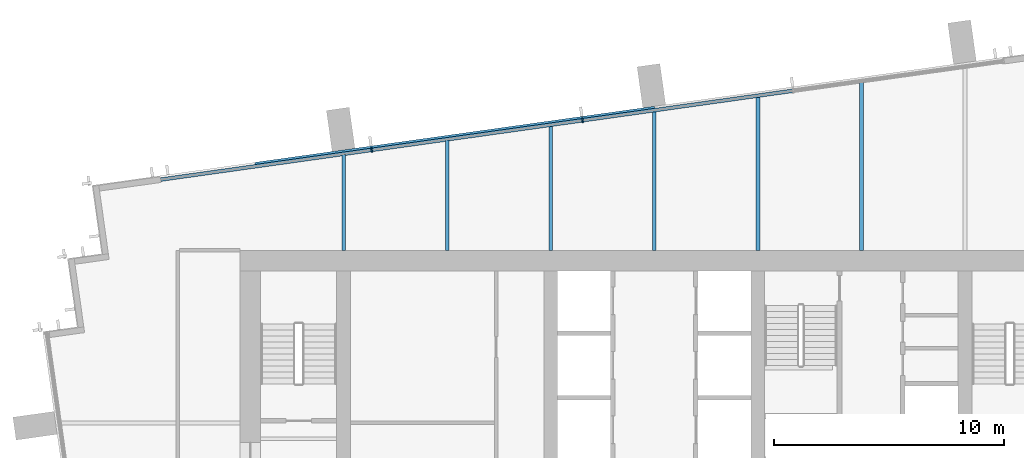
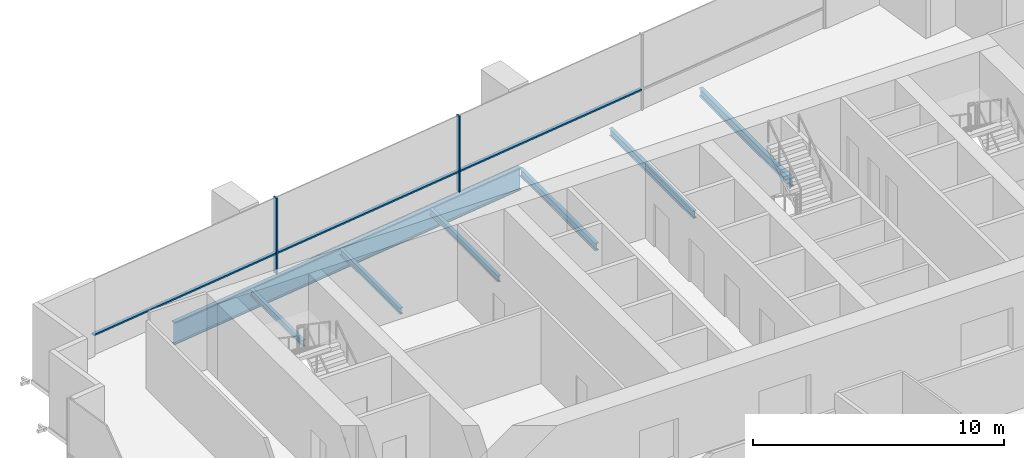
# One storey, part 5 of 12: 7 beams, 5 members, 1 element without a shape of its own.
"""IFC4 building model written with IfcOpenShell, lengths in metres."""

from ifc_helpers import new_model, si_unit, direction, frame, origin, origin_2d, place, context, subcontext, project, spatial, rectangle, i_section, extrude, material, layer, layer_set, material_profile, profile_set, type_object, element, aggregate, save


model = new_model("IFC4")

# Units and contexts
model_context = context("Model", 3, precision=1e-05, world=origin(), true_north=direction((0.0, 1.0)))
body_context = subcontext(model_context, "Body", "Model", "MODEL_VIEW")
ifc_project = project(units=[si_unit("LENGTHUNIT", "METRE"), si_unit("AREAUNIT", "SQUARE_METRE"), si_unit("VOLUMEUNIT", "CUBIC_METRE"), si_unit("PLANEANGLEUNIT", "RADIAN"), si_unit("MASSUNIT", "GRAM", prefix="KILO")], contexts=[model_context])

# Site, building, storey
site_placement = place(None, origin())
site = spatial("IfcSite", under=ifc_project, at=site_placement, CompositionType="ELEMENT")
building_placement = place(site_placement, origin())
building = spatial("IfcBuilding", under=site, at=building_placement, Name="Rattan Terrace Tower", CompositionType="ELEMENT")
storey_placement = place(building_placement, frame((0.0, 0.0, 270.699951171875)))
storey = spatial("IfcBuildingStorey", under=building, at=storey_placement, Name="L62", CompositionType="ELEMENT", Elevation=270.699951171875)

# Beams
ifc_material_1 = material(Name="Steel S460", Category="steel")
ifc_material_profile_1 = material_profile(ifc_material_1, i_section(OverallWidth=0.179931640625, OverallDepth=1.10009765625, WebThickness=0.01611328125, FlangeThickness=0.050048828125, at=origin_2d()), Name="PG 1100x180-16-50")
ifc_profile_set_1 = profile_set([ifc_material_profile_1], Name="Steel S460")
beam_type_1 = type_object("IfcBeamType", Name="Frame edge girder PG 1100x180-16-50", PredefinedType="SPANDREL", material=ifc_profile_set_1)
beam_1_placement = place(storey_placement, frame((-17.347900390625, 11.22900390625, -0.75), z_axis=(0.990275473288, 0.139120404699, 0.0), x_axis=(-0.139120404699, 0.990275473288, 0.0)))
element("IfcBeam", 1, at=beam_1_placement, inside=storey, type_object=beam_type_1, Name="gdr-L62-005", PredefinedType="SPANDREL", context=body_context, shape_type="SweptSolid", body=[
    extrude(i_section(OverallWidth=0.179931640625, OverallDepth=1.10009765625, WebThickness=0.01611328125, FlangeThickness=0.050048828125, at=origin_2d()), origin(), (0.0, 0.0, 1.0), 17.53125),
])
ifc_material_2 = material(Name="Steel S355", Category="steel")
ifc_material_profile_2 = material_profile(ifc_material_2, i_section(OverallWidth=0.14990234375, OverallDepth=0.300048828125, WebThickness=0.007080078125, FlangeThickness=0.0107421875, FilletRadius=0.014892578125, at=origin_2d()), Name="IPE 300")
ifc_profile_set_2 = profile_set([ifc_material_profile_2], Name="Steel S355")
beam_type_2 = type_object("IfcBeamType", Name="Frame floor beam IPE 300", PredefinedType="JOIST", material=ifc_profile_set_2)
beam_2_placement = place(storey_placement, frame((-13.5, 7.5, -0.349853515625), z_axis=(0.0, 1.0, 0.0), x_axis=(-1.0, 0.0, 0.0)))
element("IfcBeam", 2, at=beam_2_placement, inside=storey, type_object=beam_type_2, Name="bm-L62-015", PredefinedType="JOIST", context=body_context, shape_type="SweptSolid", body=[
    extrude(i_section(OverallWidth=0.14990234375, OverallDepth=0.300048828125, WebThickness=0.007080078125, FlangeThickness=0.0107421875, FilletRadius=0.014892578125, at=origin_2d()), origin(), (0.0, 0.0, 1.0), 4.16796875),
])
beam_3_placement = place(storey_placement, frame((-9.0, 7.5, -0.349853515625), z_axis=(0.0, 1.0, 0.0), x_axis=(-1.0, 0.0, 0.0)))
element("IfcBeam", 3, at=beam_3_placement, inside=storey, type_object=beam_type_2, Name="bm-L62-016", PredefinedType="JOIST", context=body_context, shape_type="SweptSolid", body=[
    extrude(i_section(OverallWidth=0.14990234375, OverallDepth=0.300048828125, WebThickness=0.007080078125, FlangeThickness=0.0107421875, FilletRadius=0.014892578125, at=origin_2d()), origin(), (0.0, 0.0, 1.0), 4.800048828125),
])
beam_4_placement = place(storey_placement, frame((-4.5, 7.5, -0.349853515625), z_axis=(0.0, 1.0, 0.0), x_axis=(-1.0, 0.0, 0.0)))
element("IfcBeam", 4, at=beam_4_placement, inside=storey, type_object=beam_type_2, Name="bm-L62-017", PredefinedType="JOIST", context=body_context, shape_type="SweptSolid", body=[
    extrude(i_section(OverallWidth=0.14990234375, OverallDepth=0.300048828125, WebThickness=0.007080078125, FlangeThickness=0.0107421875, FilletRadius=0.014892578125, at=origin_2d()), origin(), (0.0, 0.0, 1.0), 5.43310546875),
])
ifc_material_3 = material(Name="Steel S355", Category="steel")
ifc_material_profile_3 = material_profile(ifc_material_3, i_section(OverallWidth=0.169921875, OverallDepth=0.360107421875, WebThickness=0.008056640625, FlangeThickness=0.0126953125, FilletRadius=0.01806640625, at=origin_2d()), Name="IPE 360")
ifc_profile_set_3 = profile_set([ifc_material_profile_3], Name="Steel S355")
beam_type_3 = type_object("IfcBeamType", Name="Frame floor beam IPE 360", PredefinedType="JOIST", material=ifc_profile_set_3)
beam_5_placement = place(storey_placement, frame((0.0, 7.5, -0.3798828125), z_axis=(0.0, 1.0, 0.0), x_axis=(-1.0, 0.0, 0.0)))
element("IfcBeam", 5, at=beam_5_placement, inside=storey, type_object=beam_type_3, Name="bm-L62-018", PredefinedType="JOIST", context=body_context, shape_type="SweptSolid", body=[
    extrude(i_section(OverallWidth=0.169921875, OverallDepth=0.360107421875, WebThickness=0.008056640625, FlangeThickness=0.0126953125, FilletRadius=0.01806640625, at=origin_2d()), origin(), (0.0, 0.0, 1.0), 6.06298828125),
])
beam_6_placement = place(storey_placement, frame((4.5, 7.5, -0.3798828125), z_axis=(0.0, 1.0, 0.0), x_axis=(-1.0, 0.0, 0.0)))
element("IfcBeam", 6, at=beam_6_placement, inside=storey, type_object=beam_type_3, Name="bm-L62-019", PredefinedType="JOIST", context=body_context, shape_type="SweptSolid", body=[
    extrude(i_section(OverallWidth=0.169921875, OverallDepth=0.360107421875, WebThickness=0.008056640625, FlangeThickness=0.0126953125, FilletRadius=0.01806640625, at=origin_2d()), origin(), (0.0, 0.0, 1.0), 6.696044921875),
])
ifc_material_4 = material(Name="Steel S355", Category="steel")
ifc_material_profile_4 = material_profile(ifc_material_4, i_section(OverallWidth=0.179931640625, OverallDepth=0.39990234375, WebThickness=0.008544921875, FlangeThickness=0.013427734375, FilletRadius=0.02099609375, at=origin_2d()), Name="IPE 400")
ifc_profile_set_4 = profile_set([ifc_material_profile_4], Name="Steel S355")
beam_type_4 = type_object("IfcBeamType", Name="Frame floor beam IPE 400", PredefinedType="JOIST", material=ifc_profile_set_4)
beam_7_placement = place(storey_placement, frame((9.0, 7.5, -0.39990234375), z_axis=(0.0, 1.0, 0.0), x_axis=(-1.0, 0.0, 0.0)))
element("IfcBeam", 7, at=beam_7_placement, inside=storey, type_object=beam_type_4, Name="bm-L62-020", PredefinedType="JOIST", context=body_context, shape_type="SweptSolid", body=[
    extrude(i_section(OverallWidth=0.179931640625, OverallDepth=0.39990234375, WebThickness=0.008544921875, FlangeThickness=0.013427734375, FilletRadius=0.02099609375, at=origin_2d()), origin(), (0.0, 0.0, 1.0), 7.327880859375),
])

# Curtain wall, members
ifc_material_5 = material(Name="Aluminium and laminated glass", Category="aluminium")
ifc_layer = layer(ifc_material_5, 0.199951171875)
ifc_layer_set = layer_set([ifc_layer], Name="High-Zone Unitised Curtain Wall")
curtain_wall_type = type_object("IfcCurtainWallType", Name="High-Zone Unitised Curtain Wall", PredefinedType="NOTDEFINED", material=ifc_layer_set)
curtain_wall_placement = place(storey_placement, origin())
curtain_wall = element("IfcCurtainWall", 8, at=curtain_wall_placement, inside=storey, type_object=curtain_wall_type, Name="High-zone curtain wall L62-2", PredefinedType="NOTDEFINED")
ifc_material_6 = material(Name="Aluminium", Category="aluminium")
ifc_material_profile_5 = material_profile(ifc_material_6, rectangle(XDim=0.070068359375, YDim=0.199951171875, at=origin_2d()), Name="Aluminium 70x200")
ifc_profile_set_5 = profile_set([ifc_material_profile_5], Name="Aluminium")
member_type_1 = type_object("IfcMemberType", Name="High-Zone CW Mullion 70x200", PredefinedType="MULLION", material=ifc_profile_set_5)
member_1_placement = place(storey_placement, frame((-3.1181640625, 13.14697265625, 0.0), z_axis=(0.0, 0.0, 1.0), x_axis=(-0.990265894013, -0.139188574079, 0.0)))
member_1 = element("IfcMember", 9, at=member_1_placement, type_object=member_type_1, Name="Mullion cwl-L62-002.3", PredefinedType="MULLION", context=body_context, shape_type="SweptSolid", body=[
    extrude(rectangle(XDim=0.070068359375, YDim=0.199951171875, at=origin_2d()), origin(), (0.0, 0.0, 1.0), 3.699951171875),
])
member_2_placement = place(storey_placement, frame((-12.27734375, 11.859619140625, 0.0), z_axis=(0.0, 0.0, 1.0), x_axis=(-0.990265894013, -0.139188574079, 0.0)))
member_2 = element("IfcMember", 10, at=member_2_placement, type_object=member_type_1, Name="Mullion cwl-L62-002.4", PredefinedType="MULLION", context=body_context, shape_type="SweptSolid", body=[
    extrude(rectangle(XDim=0.070068359375, YDim=0.199951171875, at=origin_2d()), origin(), (0.0, 0.0, 1.0), 3.699951171875),
])
ifc_material_7 = material(Name="Aluminium", Category="aluminium")
ifc_material_profile_6 = material_profile(ifc_material_7, rectangle(XDim=0.159912109375, YDim=0.070068359375, at=origin_2d()), Name="Aluminium 160x70")
ifc_profile_set_6 = profile_set([ifc_material_profile_6], Name="Aluminium")
member_type_2 = type_object("IfcMemberType", Name="High-Zone CW Transom 160x70", PredefinedType="USERDEFINED", material=ifc_profile_set_6)
member_3_placement = place(storey_placement, frame((6.006103515625, 14.429443359375, 1.0), z_axis=(-0.990266147156, -0.139186773067, 0.0), x_axis=(0.139186773067, -0.990266147156, 0.0)))
member_3 = element("IfcMember", 11, at=member_3_placement, type_object=member_type_2, Name="Transom cwl-L62-002.2", ObjectType="TRANSOM", PredefinedType="USERDEFINED", context=body_context, shape_type="SweptSolid", body=[
    extrude(rectangle(XDim=0.159912109375, YDim=0.070068359375, at=origin_2d()), origin(), (0.0, 0.0, 1.0), 9.178955078125),
])
member_4_placement = place(storey_placement, frame((-3.15283203125, 13.14208984375, 1.0), z_axis=(-0.990266662415, -0.139183107123, 0.0), x_axis=(0.139183107123, -0.990266662415, 0.0)))
member_4 = element("IfcMember", 12, at=member_4_placement, type_object=member_type_2, Name="Transom cwl-L62-002.3", ObjectType="TRANSOM", PredefinedType="USERDEFINED", context=body_context, shape_type="SweptSolid", body=[
    extrude(rectangle(XDim=0.159912109375, YDim=0.070068359375, at=origin_2d()), origin(), (0.0, 0.0, 1.0), 9.17919921875),
])
member_5_placement = place(storey_placement, frame((-12.31201171875, 11.854736328125, 1.0), z_axis=(-0.990263767768, -0.139203700545, 0.0), x_axis=(0.139203700545, -0.990263767768, 0.0)))
member_5 = element("IfcMember", 13, at=member_5_placement, type_object=member_type_2, Name="Transom cwl-L62-002.4", ObjectType="TRANSOM", PredefinedType="USERDEFINED", context=body_context, shape_type="SweptSolid", body=[
    extrude(rectangle(XDim=0.159912109375, YDim=0.070068359375, at=origin_2d()), origin(), (0.0, 0.0, 1.0), 9.21826171875),
])
aggregate(curtain_wall, [member_1, member_2, member_3, member_4, member_5])

save(model, "model.ifc")
